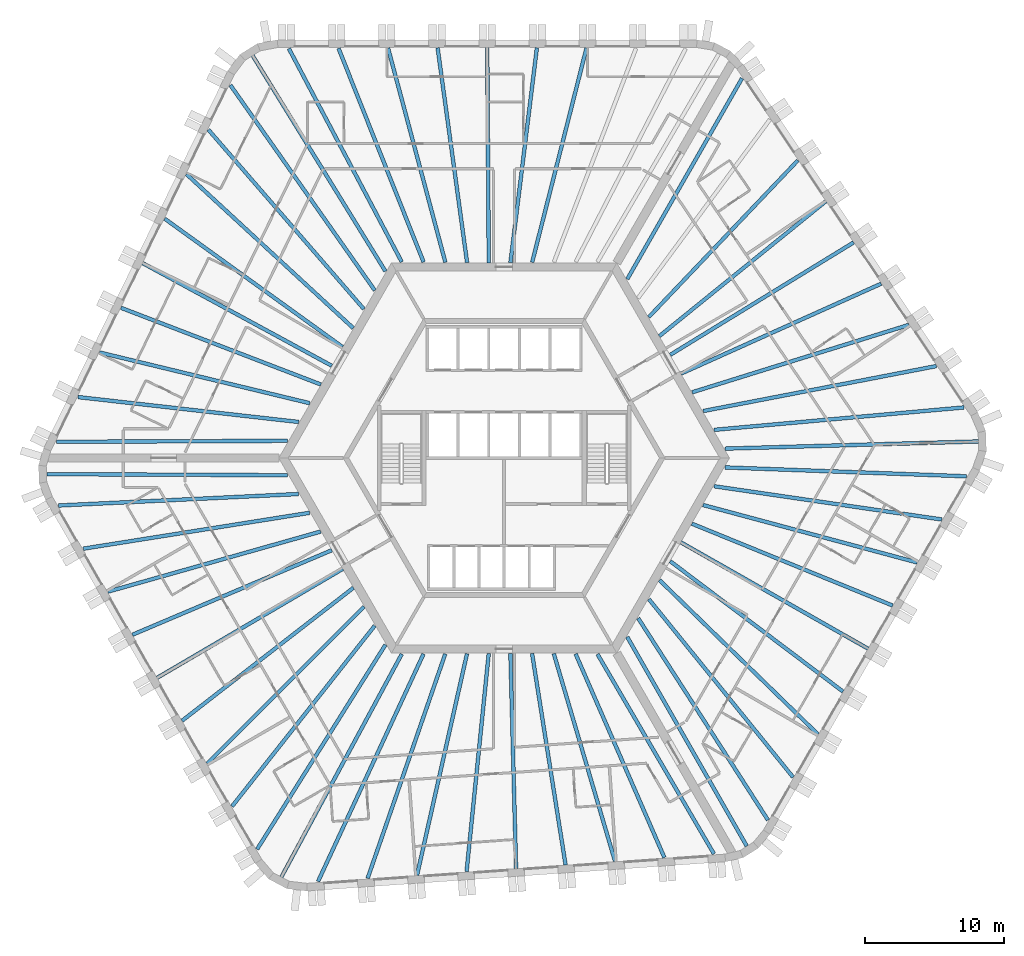
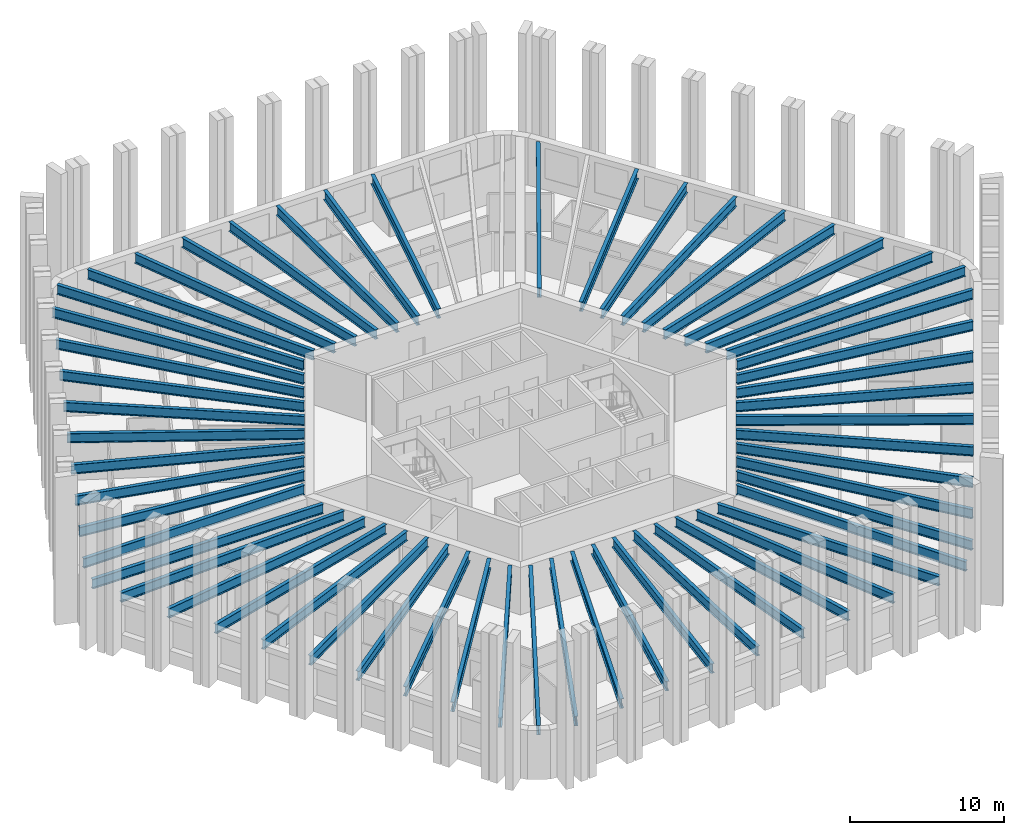
# One storey, part 1 of 12: 56 beams.
"""IFC4 building model written with IfcOpenShell, lengths in metres."""

from ifc_helpers import new_model, si_unit, direction, frame, origin, origin_2d, place, context, subcontext, project, spatial, i_section, extrude, material, material_profile, profile_set, type_object, element, save


model = new_model("IFC4")

# Units and contexts
model_context = context("Model", 3, precision=1e-05, world=origin(), true_north=direction((0.0, 1.0)))
body_context = subcontext(model_context, "Body", "Model", "MODEL_VIEW")
ifc_project = project(units=[si_unit("LENGTHUNIT", "METRE"), si_unit("AREAUNIT", "SQUARE_METRE"), si_unit("VOLUMEUNIT", "CUBIC_METRE"), si_unit("PLANEANGLEUNIT", "RADIAN"), si_unit("MASSUNIT", "GRAM", prefix="KILO")], contexts=[model_context])

# Site, building, storey
site_placement = place(None, origin())
site = spatial("IfcSite", under=ifc_project, at=site_placement, CompositionType="ELEMENT")
building_placement = place(site_placement, origin())
building = spatial("IfcBuilding", under=site, at=building_placement, Name="Tarnside Tower", CompositionType="ELEMENT")
storey_placement = place(building_placement, frame((0.0, 0.0, 49.199951171875)))
storey = spatial("IfcBuildingStorey", under=building, at=storey_placement, Name="L09", CompositionType="ELEMENT", Elevation=49.199951171875)

# Beams
ifc_material = material(Name="Steel S355", Category="steel")
ifc_material_profile_1 = material_profile(ifc_material, i_section(OverallWidth=0.26513671875, OverallDepth=0.75390625, WebThickness=0.0126953125, FlangeThickness=0.017578125, FilletRadius=0.0166015625, at=origin_2d()), Name="UB 762x267x147")
ifc_profile_set_1 = profile_set([ifc_material_profile_1], Name="Steel S355")
beam_type_1 = type_object("IfcBeamType", Name="Floor beam UB 762x267x147", PredefinedType="BEAM", material=ifc_profile_set_1)
beam_1_placement = place(storey_placement, frame((2.3525390625, 29.43017578125, 3.373046875), z_axis=(-0.122329629165, -0.992489527314, 0.0), x_axis=(0.992489527314, -0.122329629165, 0.0)))
element("IfcBeam", 1, at=beam_1_placement, inside=storey, type_object=beam_type_1, Name="Floor beam F1.04", PredefinedType="BEAM", context=body_context, shape_type="SweptSolid", body=[
    extrude(i_section(OverallWidth=0.26513671875, OverallDepth=0.75390625, WebThickness=0.0126953125, FlangeThickness=0.017578125, FilletRadius=0.0166015625, at=origin_2d()), origin(), (0.0, 0.0, 1.0), 15.527099609375),
])
beam_2_placement = place(storey_placement, frame((-1.208984375, 29.449951171875, 3.373046875), z_axis=(0.007000128723, -0.999975498799, 0.0), x_axis=(0.999975498799, 0.007000128723, 0.0)))
element("IfcBeam", 2, at=beam_2_placement, inside=storey, type_object=beam_type_1, Name="Floor beam F1.05", PredefinedType="BEAM", context=body_context, shape_type="SweptSolid", body=[
    extrude(i_section(OverallWidth=0.26513671875, OverallDepth=0.75390625, WebThickness=0.0126953125, FlangeThickness=0.017578125, FilletRadius=0.0166015625, at=origin_2d()), origin(), (0.0, 0.0, 1.0), 15.450439453125),
])
beam_3_placement = place(storey_placement, frame((-4.7705078125, 29.43017578125, 3.373046875), z_axis=(0.136000560933, -0.990708760144, 0.0), x_axis=(0.990708760144, 0.136000560933, 0.0)))
element("IfcBeam", 3, at=beam_3_placement, inside=storey, type_object=beam_type_1, Name="Floor beam F1.06", PredefinedType="BEAM", context=body_context, shape_type="SweptSolid", body=[
    extrude(i_section(OverallWidth=0.26513671875, OverallDepth=0.75390625, WebThickness=0.0126953125, FlangeThickness=0.017578125, FilletRadius=0.0166015625, at=origin_2d()), origin(), (0.0, 0.0, 1.0), 15.554931640625),
])
beam_4_placement = place(storey_placement, frame((-24.348876953125, 17.168212890625, 3.373046875), z_axis=(0.811027744825, -0.585007689799, 0.0), x_axis=(0.585007689799, 0.811027744825, 0.0)))
element("IfcBeam", 4, at=beam_4_placement, inside=storey, type_object=beam_type_1, Name="Floor beam F2.04", PredefinedType="BEAM", context=body_context, shape_type="SweptSolid", body=[
    extrude(i_section(OverallWidth=0.26513671875, OverallDepth=0.75390625, WebThickness=0.0126953125, FlangeThickness=0.017578125, FilletRadius=0.0166015625, at=origin_2d()), origin(), (0.0, 0.0, 1.0), 15.731689453125),
])
beam_5_placement = place(storey_placement, frame((-25.92626953125, 13.978271484375, 3.373046875), z_axis=(0.878894567679, -0.477016078245, 0.0), x_axis=(0.477016078245, 0.878894567679, 0.0)))
element("IfcBeam", 5, at=beam_5_placement, inside=storey, type_object=beam_type_1, Name="Floor beam F2.05", PredefinedType="BEAM", context=body_context, shape_type="SweptSolid", body=[
    extrude(i_section(OverallWidth=0.26513671875, OverallDepth=0.75390625, WebThickness=0.0126953125, FlangeThickness=0.017578125, FilletRadius=0.0166015625, at=origin_2d()), origin(), (0.0, 0.0, 1.0), 15.427490234375),
])
beam_6_placement = place(storey_placement, frame((-27.487548828125, 10.77734375, 3.373046875), z_axis=(0.933617702452, -0.358270827264, 0.0), x_axis=(0.358270827264, 0.933617702452, 0.0)))
element("IfcBeam", 6, at=beam_6_placement, inside=storey, type_object=beam_type_1, Name="Floor beam F2.06", PredefinedType="BEAM", context=body_context, shape_type="SweptSolid", body=[
    extrude(i_section(OverallWidth=0.26513671875, OverallDepth=0.75390625, WebThickness=0.0126953125, FlangeThickness=0.017578125, FilletRadius=0.0166015625, at=origin_2d()), origin(), (0.0, 0.0, 1.0), 15.363037109375),
])
beam_7_placement = place(storey_placement, frame((-29.029296875, 7.572509765625, 3.373046875), z_axis=(0.972101750991, -0.234559556873, 0.0), x_axis=(0.234559556873, 0.972101750991, 0.0)))
element("IfcBeam", 7, at=beam_7_placement, inside=storey, type_object=beam_type_1, Name="Floor beam F2.07", PredefinedType="BEAM", context=body_context, shape_type="SweptSolid", body=[
    extrude(i_section(OverallWidth=0.26513671875, OverallDepth=0.75390625, WebThickness=0.0126953125, FlangeThickness=0.017578125, FilletRadius=0.0166015625, at=origin_2d()), origin(), (0.0, 0.0, 1.0), 15.522216796875),
])
beam_8_placement = place(storey_placement, frame((-26.66357421875, -12.677734375, 3.373046875), z_axis=(0.920684021494, 0.390308765679, 0.0), x_axis=(-0.390308765679, 0.920684021494, 0.0)))
element("IfcBeam", 8, at=beam_8_placement, inside=storey, type_object=beam_type_1, Name="Floor beam F3.04", PredefinedType="BEAM", context=body_context, shape_type="SweptSolid", body=[
    extrude(i_section(OverallWidth=0.26513671875, OverallDepth=0.75390625, WebThickness=0.0126953125, FlangeThickness=0.017578125, FilletRadius=0.0166015625, at=origin_2d()), origin(), (0.0, 0.0, 1.0), 15.52685546875),
])
beam_9_placement = place(storey_placement, frame((-24.89990234375, -15.772216796875, 3.373046875), z_axis=(0.862497502004, 0.506061319443, 0.0), x_axis=(-0.506061319443, 0.862497502004, 0.0)))
element("IfcBeam", 9, at=beam_9_placement, inside=storey, type_object=beam_type_1, Name="Floor beam F3.05", PredefinedType="BEAM", context=body_context, shape_type="SweptSolid", body=[
    extrude(i_section(OverallWidth=0.26513671875, OverallDepth=0.75390625, WebThickness=0.0126953125, FlangeThickness=0.017578125, FilletRadius=0.0166015625, at=origin_2d()), origin(), (0.0, 0.0, 1.0), 15.450439453125),
])
beam_10_placement = place(storey_placement, frame((-23.10205078125, -18.846435546875, 3.373046875), z_axis=(0.789983963813, 0.613127504617, 0.0), x_axis=(-0.613127504617, 0.789983963813, 0.0)))
element("IfcBeam", 10, at=beam_10_placement, inside=storey, type_object=beam_type_1, Name="Floor beam F3.06", PredefinedType="BEAM", context=body_context, shape_type="SweptSolid", body=[
    extrude(i_section(OverallWidth=0.26513671875, OverallDepth=0.75390625, WebThickness=0.0126953125, FlangeThickness=0.017578125, FilletRadius=0.0166015625, at=origin_2d()), origin(), (0.0, 0.0, 1.0), 15.554931640625),
])
beam_11_placement = place(storey_placement, frame((-2.693603515625, -29.6708984375, 3.373046875), z_axis=(0.101123115756, 0.994873919379, 0.0), x_axis=(-0.994873919379, 0.101123115756, 0.0)))
element("IfcBeam", 11, at=beam_11_placement, inside=storey, type_object=beam_type_1, Name="Floor beam F4.04", PredefinedType="BEAM", context=body_context, shape_type="SweptSolid", body=[
    extrude(i_section(OverallWidth=0.26513671875, OverallDepth=0.75390625, WebThickness=0.0126953125, FlangeThickness=0.017578125, FilletRadius=0.0166015625, at=origin_2d()), origin(), (0.0, 0.0, 1.0), 15.7314453125),
])
beam_12_placement = place(storey_placement, frame((0.857666015625, -29.44189453125, 3.373046875), z_axis=(-0.026333316788, 0.999653218085, 0.0), x_axis=(-0.999653218085, -0.026333316788, 0.0)))
element("IfcBeam", 12, at=beam_12_placement, inside=storey, type_object=beam_type_1, Name="Floor beam F4.05", PredefinedType="BEAM", context=body_context, shape_type="SweptSolid", body=[
    extrude(i_section(OverallWidth=0.26513671875, OverallDepth=0.75390625, WebThickness=0.0126953125, FlangeThickness=0.017578125, FilletRadius=0.0166015625, at=origin_2d()), origin(), (0.0, 0.0, 1.0), 15.42724609375),
])
beam_13_placement = place(storey_placement, frame((4.41015625, -29.193603515625, 3.373046875), z_axis=(-0.156513375907, 0.98767583911, 0.0), x_axis=(-0.98767583911, -0.156513375907, 0.0)))
element("IfcBeam", 13, at=beam_13_placement, inside=storey, type_object=beam_type_1, Name="Floor beam F4.06", PredefinedType="BEAM", context=body_context, shape_type="SweptSolid", body=[
    extrude(i_section(OverallWidth=0.26513671875, OverallDepth=0.75390625, WebThickness=0.0126953125, FlangeThickness=0.017578125, FilletRadius=0.0166015625, at=origin_2d()), origin(), (0.0, 0.0, 1.0), 15.36328125),
])
beam_14_placement = place(storey_placement, frame((7.956787109375, -28.926513671875, 3.373046875), z_axis=(-0.282920694328, 0.959143305623, 0.0), x_axis=(-0.959143305623, -0.282920694328, 0.0)))
element("IfcBeam", 14, at=beam_14_placement, inside=storey, type_object=beam_type_1, Name="Floor beam F4.07", PredefinedType="BEAM", context=body_context, shape_type="SweptSolid", body=[
    extrude(i_section(OverallWidth=0.26513671875, OverallDepth=0.75390625, WebThickness=0.0126953125, FlangeThickness=0.017578125, FilletRadius=0.0166015625, at=origin_2d()), origin(), (0.0, 0.0, 1.0), 15.5224609375),
])
beam_15_placement = place(storey_placement, frame((24.31103515625, -16.75244140625, 3.373046875), z_axis=(-0.798361152727, 0.602178935049, 0.0), x_axis=(-0.602178935049, -0.798361152727, 0.0)))
element("IfcBeam", 15, at=beam_15_placement, inside=storey, type_object=beam_type_1, Name="Floor beam F5.04", PredefinedType="BEAM", context=body_context, shape_type="SweptSolid", body=[
    extrude(i_section(OverallWidth=0.26513671875, OverallDepth=0.75390625, WebThickness=0.0126953125, FlangeThickness=0.017578125, FilletRadius=0.0166015625, at=origin_2d()), origin(), (0.0, 0.0, 1.0), 15.527099609375),
])
beam_16_placement = place(storey_placement, frame((26.10888671875, -13.677978515625, 3.373046875), z_axis=(-0.869502520992, 0.493928502911, 0.0), x_axis=(-0.493928502911, -0.869502520992, 0.0)))
element("IfcBeam", 16, at=beam_16_placement, inside=storey, type_object=beam_type_1, Name="Floor beam F5.05", PredefinedType="BEAM", context=body_context, shape_type="SweptSolid", body=[
    extrude(i_section(OverallWidth=0.26513671875, OverallDepth=0.75390625, WebThickness=0.0126953125, FlangeThickness=0.017578125, FilletRadius=0.0166015625, at=origin_2d()), origin(), (0.0, 0.0, 1.0), 15.4501953125),
])
beam_17_placement = place(storey_placement, frame((27.87255859375, -10.58349609375, 3.373046875), z_axis=(-0.925981621163, 0.377568586177, 0.0), x_axis=(-0.377568586177, -0.925981621163, 0.0)))
element("IfcBeam", 17, at=beam_17_placement, inside=storey, type_object=beam_type_1, Name="Floor beam F5.06", PredefinedType="BEAM", context=body_context, shape_type="SweptSolid", body=[
    extrude(i_section(OverallWidth=0.26513671875, OverallDepth=0.75390625, WebThickness=0.0126953125, FlangeThickness=0.017578125, FilletRadius=0.0166015625, at=origin_2d()), origin(), (0.0, 0.0, 1.0), 15.554931640625),
])
beam_18_placement = place(storey_placement, frame((27.04248046875, 12.502685546875, 3.373046875), z_axis=(-0.912146413919, -0.409864513681, 0.0), x_axis=(0.409864513681, -0.912146413919, 0.0)))
element("IfcBeam", 18, at=beam_18_placement, inside=storey, type_object=beam_type_1, Name="Floor beam F6.04", PredefinedType="BEAM", context=body_context, shape_type="SweptSolid", body=[
    extrude(i_section(OverallWidth=0.26513671875, OverallDepth=0.75390625, WebThickness=0.0126953125, FlangeThickness=0.017578125, FilletRadius=0.0166015625, at=origin_2d()), origin(), (0.0, 0.0, 1.0), 15.7314453125),
])
beam_19_placement = place(storey_placement, frame((25.068603515625, 15.463623046875, 3.373046875), z_axis=(-0.852558490017, -0.522631821744, 0.0), x_axis=(0.522631821744, -0.852558490017, 0.0)))
element("IfcBeam", 19, at=beam_19_placement, inside=storey, type_object=beam_type_1, Name="Floor beam F6.05", PredefinedType="BEAM", context=body_context, shape_type="SweptSolid", body=[
    extrude(i_section(OverallWidth=0.26513671875, OverallDepth=0.75390625, WebThickness=0.0126953125, FlangeThickness=0.017578125, FilletRadius=0.0166015625, at=origin_2d()), origin(), (0.0, 0.0, 1.0), 15.42724609375),
])
beam_20_placement = place(storey_placement, frame((23.0771484375, 18.416259765625, 3.373046875), z_axis=(-0.777079423039, -0.629402550272, 0.0), x_axis=(0.629402550272, -0.777079423039, 0.0)))
element("IfcBeam", 20, at=beam_20_placement, inside=storey, type_object=beam_type_1, Name="Floor beam F6.06", PredefinedType="BEAM", context=body_context, shape_type="SweptSolid", body=[
    extrude(i_section(OverallWidth=0.26513671875, OverallDepth=0.75390625, WebThickness=0.0126953125, FlangeThickness=0.017578125, FilletRadius=0.0166015625, at=origin_2d()), origin(), (0.0, 0.0, 1.0), 15.36328125),
])
beam_21_placement = place(storey_placement, frame((21.072509765625, 21.35400390625, 3.373046875), z_axis=(-0.689174694318, -0.724595225427, 0.0), x_axis=(0.724595225427, -0.689174694318, 0.0)))
element("IfcBeam", 21, at=beam_21_placement, inside=storey, type_object=beam_type_1, Name="Floor beam F6.07", PredefinedType="BEAM", context=body_context, shape_type="SweptSolid", body=[
    extrude(i_section(OverallWidth=0.26513671875, OverallDepth=0.75390625, WebThickness=0.0126953125, FlangeThickness=0.017578125, FilletRadius=0.0166015625, at=origin_2d()), origin(), (0.0, 0.0, 1.0), 15.522216796875),
])
ifc_material_profile_2 = material_profile(ifc_material, i_section(OverallWidth=0.2666015625, OverallDepth=0.76220703125, WebThickness=0.014404296875, FlangeThickness=0.021484375, FilletRadius=0.0166015625, at=origin_2d()), Name="UB 762x267x173")
ifc_profile_set_2 = profile_set([ifc_material_profile_2], Name="Steel S355")
beam_type_2 = type_object("IfcBeamType", Name="Floor beam UB 762x267x173", PredefinedType="BEAM", material=ifc_profile_set_2)
beam_22_placement = place(storey_placement, frame((5.909423828125, 29.4111328125, 3.368896484375), z_axis=(-0.245747281389, -0.969333933013, 0.0), x_axis=(0.969333933013, -0.245747281389, 0.0)))
element("IfcBeam", 22, at=beam_22_placement, inside=storey, type_object=beam_type_2, Name="Floor beam F1.03", PredefinedType="BEAM", context=body_context, shape_type="SweptSolid", body=[
    extrude(i_section(OverallWidth=0.2666015625, OverallDepth=0.76220703125, WebThickness=0.014404296875, FlangeThickness=0.021484375, FilletRadius=0.0166015625, at=origin_2d()), origin(), (0.0, 0.0, 1.0), 15.858642578125),
])
beam_23_placement = place(storey_placement, frame((-8.3271484375, 29.411376953125, 3.368896484375), z_axis=(0.258447478572, -0.966025310652, 0.0), x_axis=(0.966025310652, 0.258447478572, 0.0)))
element("IfcBeam", 23, at=beam_23_placement, inside=storey, type_object=beam_type_2, Name="Floor beam F1.07", PredefinedType="BEAM", context=body_context, shape_type="SweptSolid", body=[
    extrude(i_section(OverallWidth=0.2666015625, OverallDepth=0.76220703125, WebThickness=0.014404296875, FlangeThickness=0.021484375, FilletRadius=0.0166015625, at=origin_2d()), origin(), (0.0, 0.0, 1.0), 15.91357421875),
])
beam_24_placement = place(storey_placement, frame((-11.87939453125, 29.394287109375, 3.368896484375), z_axis=(0.369638204477, -0.929175762593, 0.0), x_axis=(0.929175762593, 0.369638204477, 0.0)))
element("IfcBeam", 24, at=beam_24_placement, inside=storey, type_object=beam_type_2, Name="Floor beam F1.08", PredefinedType="BEAM", context=body_context, shape_type="SweptSolid", body=[
    extrude(i_section(OverallWidth=0.2666015625, OverallDepth=0.76220703125, WebThickness=0.014404296875, FlangeThickness=0.021484375, FilletRadius=0.0166015625, at=origin_2d()), origin(), (0.0, 0.0, 1.0), 16.507568359375),
])
beam_25_placement = place(storey_placement, frame((-15.44580078125, 29.37939453125, 3.368896484375), z_axis=(0.467741993634, -0.883865050441, 0.0), x_axis=(0.883865050441, 0.467741993634, 0.0)))
element("IfcBeam", 25, at=beam_25_placement, inside=storey, type_object=beam_type_2, Name="Floor beam F1.09", PredefinedType="BEAM", context=body_context, shape_type="SweptSolid", body=[
    extrude(i_section(OverallWidth=0.2666015625, OverallDepth=0.76220703125, WebThickness=0.014404296875, FlangeThickness=0.021484375, FilletRadius=0.0166015625, at=origin_2d()), origin(), (0.0, 0.0, 1.0), 17.320068359375),
])
beam_26_placement = place(storey_placement, frame((-18.042236328125, 28.8701171875, 3.368896484375), z_axis=(0.524382977035, -0.851482526771, 0.0), x_axis=(0.851482526771, 0.524382977035, 0.0)))
element("IfcBeam", 26, at=beam_26_placement, inside=storey, type_object=beam_type_2, Name="Floor beam C1", PredefinedType="BEAM", context=body_context, shape_type="SweptSolid", body=[
    extrude(i_section(OverallWidth=0.2666015625, OverallDepth=0.76220703125, WebThickness=0.014404296875, FlangeThickness=0.021484375, FilletRadius=0.0166015625, at=origin_2d()), origin(), (0.0, 0.0, 1.0), 18.1728515625),
])
beam_27_placement = place(storey_placement, frame((-19.638671875, 26.75537109375, 3.368896484375), z_axis=(0.575411427849, -0.817864101609, 0.0), x_axis=(0.817864101609, 0.575411427849, 0.0)))
element("IfcBeam", 27, at=beam_27_placement, inside=storey, type_object=beam_type_2, Name="Floor beam F2.01", PredefinedType="BEAM", context=body_context, shape_type="SweptSolid", body=[
    extrude(i_section(OverallWidth=0.2666015625, OverallDepth=0.76220703125, WebThickness=0.014404296875, FlangeThickness=0.021484375, FilletRadius=0.0166015625, at=origin_2d()), origin(), (0.0, 0.0, 1.0), 18.00048828125),
])
beam_28_placement = place(storey_placement, frame((-21.21630859375, 23.554931640625, 3.368896484375), z_axis=(0.654980748073, -0.755645564834, 0.0), x_axis=(0.755645564834, 0.654980748073, 0.0)))
element("IfcBeam", 28, at=beam_28_placement, inside=storey, type_object=beam_type_2, Name="Floor beam F2.02", PredefinedType="BEAM", context=body_context, shape_type="SweptSolid", body=[
    extrude(i_section(OverallWidth=0.2666015625, OverallDepth=0.76220703125, WebThickness=0.014404296875, FlangeThickness=0.021484375, FilletRadius=0.0166015625, at=origin_2d()), origin(), (0.0, 0.0, 1.0), 17.0302734375),
])
beam_29_placement = place(storey_placement, frame((-22.7890625, 20.368408203125, 3.368896484375), z_axis=(0.734715474517, -0.678375391288, 0.0), x_axis=(0.678375391288, 0.734715474517, 0.0)))
element("IfcBeam", 29, at=beam_29_placement, inside=storey, type_object=beam_type_2, Name="Floor beam F2.03", PredefinedType="BEAM", context=body_context, shape_type="SweptSolid", body=[
    extrude(i_section(OverallWidth=0.2666015625, OverallDepth=0.76220703125, WebThickness=0.014404296875, FlangeThickness=0.021484375, FilletRadius=0.0166015625, at=origin_2d()), origin(), (0.0, 0.0, 1.0), 16.2802734375),
])
beam_30_placement = place(storey_placement, frame((-30.570556640625, 4.372802734375, 3.368896484375), z_axis=(0.993687302776, -0.112185312326, 0.0), x_axis=(0.112185312326, 0.993687302776, 0.0)))
element("IfcBeam", 30, at=beam_30_placement, inside=storey, type_object=beam_type_2, Name="Floor beam F2.08", PredefinedType="BEAM", context=body_context, shape_type="SweptSolid", body=[
    extrude(i_section(OverallWidth=0.2666015625, OverallDepth=0.76220703125, WebThickness=0.014404296875, FlangeThickness=0.021484375, FilletRadius=0.0166015625, at=origin_2d()), origin(), (0.0, 0.0, 1.0), 15.934326171875),
])
beam_31_placement = place(storey_placement, frame((-32.119384765625, 1.162109375, 3.368896484375), z_axis=(0.999990508787, 0.004356872304, 0.0), x_axis=(-0.004356872304, 0.999990508787, 0.0)))
element("IfcBeam", 31, at=beam_31_placement, inside=storey, type_object=beam_type_2, Name="Floor beam F2.09", PredefinedType="BEAM", context=body_context, shape_type="SweptSolid", body=[
    extrude(i_section(OverallWidth=0.2666015625, OverallDepth=0.76220703125, WebThickness=0.014404296875, FlangeThickness=0.021484375, FilletRadius=0.0166015625, at=origin_2d()), origin(), (0.0, 0.0, 1.0), 16.586669921875),
])
beam_32_placement = place(storey_placement, frame((-32.80712890625, -1.1572265625, 3.368896484375), z_axis=(0.999990027056, -0.004466070929, 0.0), x_axis=(0.004466070929, 0.999990027056, 0.0)))
element("IfcBeam", 32, at=beam_32_placement, inside=storey, type_object=beam_type_2, Name="Floor beam C2", PredefinedType="BEAM", context=body_context, shape_type="SweptSolid", body=[
    extrude(i_section(OverallWidth=0.2666015625, OverallDepth=0.76220703125, WebThickness=0.014404296875, FlangeThickness=0.021484375, FilletRadius=0.0166015625, at=origin_2d()), origin(), (0.0, 0.0, 1.0), 17.2744140625),
])
beam_33_placement = place(storey_placement, frame((-31.95703125, -3.406494140625, 3.368896484375), z_axis=(0.998853818522, 0.047864905982, 0.0), x_axis=(-0.047864905982, 0.998853818522, 0.0)))
element("IfcBeam", 33, at=beam_33_placement, inside=storey, type_object=beam_type_2, Name="Floor beam F3.01", PredefinedType="BEAM", context=body_context, shape_type="SweptSolid", body=[
    extrude(i_section(OverallWidth=0.2666015625, OverallDepth=0.76220703125, WebThickness=0.014404296875, FlangeThickness=0.021484375, FilletRadius=0.0166015625, at=origin_2d()), origin(), (0.0, 0.0, 1.0), 17.2197265625),
])
beam_34_placement = place(storey_placement, frame((-30.18701171875, -6.502685546875, 3.368896484375), z_axis=(0.987678477078, 0.156496728136, 0.0), x_axis=(-0.156496728136, 0.987678477078, 0.0)))
element("IfcBeam", 34, at=beam_34_placement, inside=storey, type_object=beam_type_2, Name="Floor beam F3.02", PredefinedType="BEAM", context=body_context, shape_type="SweptSolid", body=[
    extrude(i_section(OverallWidth=0.2666015625, OverallDepth=0.76220703125, WebThickness=0.014404296875, FlangeThickness=0.021484375, FilletRadius=0.0166015625, at=origin_2d()), origin(), (0.0, 0.0, 1.0), 16.4287109375),
])
beam_35_placement = place(storey_placement, frame((-28.425537109375, -9.587890625, 3.368896484375), z_axis=(0.962342240503, 0.271840784547, 0.0), x_axis=(-0.271840784547, 0.962342240503, 0.0)))
element("IfcBeam", 35, at=beam_35_placement, inside=storey, type_object=beam_type_2, Name="Floor beam F3.03", PredefinedType="BEAM", context=body_context, shape_type="SweptSolid", body=[
    extrude(i_section(OverallWidth=0.2666015625, OverallDepth=0.76220703125, WebThickness=0.014404296875, FlangeThickness=0.021484375, FilletRadius=0.0166015625, at=origin_2d()), origin(), (0.0, 0.0, 1.0), 15.858642578125),
])
beam_36_placement = place(storey_placement, frame((-21.307373046875, -21.917236328125, 3.368896484375), z_axis=(0.707367544857, 0.706845921318, 0.0), x_axis=(-0.706845921318, 0.707367544857, 0.0)))
element("IfcBeam", 36, at=beam_36_placement, inside=storey, type_object=beam_type_2, Name="Floor beam F3.07", PredefinedType="BEAM", context=body_context, shape_type="SweptSolid", body=[
    extrude(i_section(OverallWidth=0.2666015625, OverallDepth=0.76220703125, WebThickness=0.014404296875, FlangeThickness=0.021484375, FilletRadius=0.0166015625, at=origin_2d()), origin(), (0.0, 0.0, 1.0), 15.913330078125),
])
beam_37_placement = place(storey_placement, frame((-19.516357421875, -24.985107421875, 3.368896484375), z_axis=(0.619872995007, 0.784702153725, 0.0), x_axis=(-0.784702153725, 0.619872995007, 0.0)))
element("IfcBeam", 37, at=beam_37_placement, inside=storey, type_object=beam_type_2, Name="Floor beam F3.08", PredefinedType="BEAM", context=body_context, shape_type="SweptSolid", body=[
    extrude(i_section(OverallWidth=0.2666015625, OverallDepth=0.76220703125, WebThickness=0.014404296875, FlangeThickness=0.021484375, FilletRadius=0.0166015625, at=origin_2d()), origin(), (0.0, 0.0, 1.0), 16.507568359375),
])
beam_38_placement = place(storey_placement, frame((-17.72021484375, -28.066162109375, 3.368896484375), z_axis=(0.531583085704, 0.847006152866, 0.0), x_axis=(-0.847006152866, 0.531583085704, 0.0)))
element("IfcBeam", 38, at=beam_38_placement, inside=storey, type_object=beam_type_2, Name="Floor beam F3.09", PredefinedType="BEAM", context=body_context, shape_type="SweptSolid", body=[
    extrude(i_section(OverallWidth=0.2666015625, OverallDepth=0.76220703125, WebThickness=0.014404296875, FlangeThickness=0.021484375, FilletRadius=0.0166015625, at=origin_2d()), origin(), (0.0, 0.0, 1.0), 17.320068359375),
])
beam_39_placement = place(storey_placement, frame((-15.981201171875, -30.060302734375, 3.368896484375), z_axis=(0.475208200571, 0.879873380726, 0.0), x_axis=(-0.879873380726, 0.475208200571, 0.0)))
element("IfcBeam", 39, at=beam_39_placement, inside=storey, type_object=beam_type_2, Name="Floor beam C3", PredefinedType="BEAM", context=body_context, shape_type="SweptSolid", body=[
    extrude(i_section(OverallWidth=0.2666015625, OverallDepth=0.76220703125, WebThickness=0.014404296875, FlangeThickness=0.021484375, FilletRadius=0.0166015625, at=origin_2d()), origin(), (0.0, 0.0, 1.0), 18.173095703125),
])
beam_40_placement = place(storey_placement, frame((-13.3515625, -30.38525390625, 3.368896484375), z_axis=(0.42059199668, 0.907249895193, 0.0), x_axis=(-0.907249895193, 0.42059199668, 0.0)))
element("IfcBeam", 40, at=beam_40_placement, inside=storey, type_object=beam_type_2, Name="Floor beam F4.01", PredefinedType="BEAM", context=body_context, shape_type="SweptSolid", body=[
    extrude(i_section(OverallWidth=0.2666015625, OverallDepth=0.76220703125, WebThickness=0.014404296875, FlangeThickness=0.021484375, FilletRadius=0.0166015625, at=origin_2d()), origin(), (0.0, 0.0, 1.0), 18.000244140625),
])
beam_41_placement = place(storey_placement, frame((-9.791015625, -30.151123046875, 3.368896484375), z_axis=(0.326912128872, 0.945054739153, 0.0), x_axis=(-0.945054739153, 0.326912128872, 0.0)))
element("IfcBeam", 41, at=beam_41_placement, inside=storey, type_object=beam_type_2, Name="Floor beam F4.02", PredefinedType="BEAM", context=body_context, shape_type="SweptSolid", body=[
    extrude(i_section(OverallWidth=0.2666015625, OverallDepth=0.76220703125, WebThickness=0.014404296875, FlangeThickness=0.021484375, FilletRadius=0.0166015625, at=origin_2d()), origin(), (0.0, 0.0, 1.0), 17.0302734375),
])
beam_42_placement = place(storey_placement, frame((-6.2451171875, -29.920166015625, 3.368896484375), z_axis=(0.220139818673, 0.975468328668, 0.0), x_axis=(-0.975468328668, 0.220139818673, 0.0)))
element("IfcBeam", 42, at=beam_42_placement, inside=storey, type_object=beam_type_2, Name="Floor beam F4.03", PredefinedType="BEAM", context=body_context, shape_type="SweptSolid", body=[
    extrude(i_section(OverallWidth=0.2666015625, OverallDepth=0.76220703125, WebThickness=0.014404296875, FlangeThickness=0.021484375, FilletRadius=0.0166015625, at=origin_2d()), origin(), (0.0, 0.0, 1.0), 16.280517578125),
])
beam_43_placement = place(storey_placement, frame((11.498291015625, -28.6611328125, 3.368896484375), z_axis=(-0.399695682658, 0.916647893831, 0.0), x_axis=(-0.916647893831, -0.399695682658, 0.0)))
element("IfcBeam", 43, at=beam_43_placement, inside=storey, type_object=beam_type_2, Name="Floor beam F4.08", PredefinedType="BEAM", context=body_context, shape_type="SweptSolid", body=[
    extrude(i_section(OverallWidth=0.2666015625, OverallDepth=0.76220703125, WebThickness=0.014404296875, FlangeThickness=0.021484375, FilletRadius=0.0166015625, at=origin_2d()), origin(), (0.0, 0.0, 1.0), 15.934326171875),
])
beam_44_placement = place(storey_placement, frame((15.05322265625, -28.3974609375, 3.368896484375), z_axis=(-0.503758455062, 0.86384455717, 0.0), x_axis=(-0.86384455717, -0.503758455062, 0.0)))
element("IfcBeam", 44, at=beam_44_placement, inside=storey, type_object=beam_type_2, Name="Floor beam F4.09", PredefinedType="BEAM", context=body_context, shape_type="SweptSolid", body=[
    extrude(i_section(OverallWidth=0.2666015625, OverallDepth=0.76220703125, WebThickness=0.014404296875, FlangeThickness=0.021484375, FilletRadius=0.0166015625, at=origin_2d()), origin(), (0.0, 0.0, 1.0), 16.586669921875),
])
beam_45_placement = place(storey_placement, frame((17.40576171875, -27.833251953125, 3.368896484375), z_axis=(-0.496126762138, 0.868250099851, 0.0), x_axis=(-0.868250099851, -0.496126762138, 0.0)))
element("IfcBeam", 45, at=beam_45_placement, inside=storey, type_object=beam_type_2, Name="Floor beam C4", PredefinedType="BEAM", context=body_context, shape_type="SweptSolid", body=[
    extrude(i_section(OverallWidth=0.2666015625, OverallDepth=0.76220703125, WebThickness=0.014404296875, FlangeThickness=0.021484375, FilletRadius=0.0166015625, at=origin_2d()), origin(), (0.0, 0.0, 1.0), 17.2744140625),
])
beam_46_placement = place(storey_placement, frame((18.9287109375, -25.972412109375, 3.368896484375), z_axis=(-0.540872954463, 0.841104302171, 0.0), x_axis=(-0.841104302171, -0.540872954463, 0.0)))
element("IfcBeam", 46, at=beam_46_placement, inside=storey, type_object=beam_type_2, Name="Floor beam F5.01", PredefinedType="BEAM", context=body_context, shape_type="SweptSolid", body=[
    extrude(i_section(OverallWidth=0.2666015625, OverallDepth=0.76220703125, WebThickness=0.014404296875, FlangeThickness=0.021484375, FilletRadius=0.0166015625, at=origin_2d()), origin(), (0.0, 0.0, 1.0), 17.2197265625),
])
beam_47_placement = place(storey_placement, frame((20.72509765625, -22.89111328125, 3.368896484375), z_axis=(-0.62939015525, 0.777089462336, 0.0), x_axis=(-0.777089462336, -0.62939015525, 0.0)))
element("IfcBeam", 47, at=beam_47_placement, inside=storey, type_object=beam_type_2, Name="Floor beam F5.02", PredefinedType="BEAM", context=body_context, shape_type="SweptSolid", body=[
    extrude(i_section(OverallWidth=0.2666015625, OverallDepth=0.76220703125, WebThickness=0.014404296875, FlangeThickness=0.021484375, FilletRadius=0.0166015625, at=origin_2d()), origin(), (0.0, 0.0, 1.0), 16.4287109375),
])
beam_48_placement = place(storey_placement, frame((22.51611328125, -19.8232421875, 3.368896484375), z_axis=(-0.716594696052, 0.697489814686, 0.0), x_axis=(-0.697489814686, -0.716594696052, 0.0)))
element("IfcBeam", 48, at=beam_48_placement, inside=storey, type_object=beam_type_2, Name="Floor beam F5.03", PredefinedType="BEAM", context=body_context, shape_type="SweptSolid", body=[
    extrude(i_section(OverallWidth=0.2666015625, OverallDepth=0.76220703125, WebThickness=0.014404296875, FlangeThickness=0.021484375, FilletRadius=0.0166015625, at=origin_2d()), origin(), (0.0, 0.0, 1.0), 15.858642578125),
])
beam_49_placement = place(storey_placement, frame((29.634521484375, -7.494140625, 3.368896484375), z_axis=(-0.965827851395, 0.259184415946, 0.0), x_axis=(-0.259184415946, -0.965827851395, 0.0)))
element("IfcBeam", 49, at=beam_49_placement, inside=storey, type_object=beam_type_2, Name="Floor beam F5.07", PredefinedType="BEAM", context=body_context, shape_type="SweptSolid", body=[
    extrude(i_section(OverallWidth=0.2666015625, OverallDepth=0.76220703125, WebThickness=0.014404296875, FlangeThickness=0.021484375, FilletRadius=0.0166015625, at=origin_2d()), origin(), (0.0, 0.0, 1.0), 15.913330078125),
])
beam_50_placement = place(storey_placement, frame((31.39599609375, -4.4091796875, 3.368896484375), z_axis=(-0.989507887412, 0.144478859177, 0.0), x_axis=(-0.144478859177, -0.989507887412, 0.0)))
element("IfcBeam", 50, at=beam_50_placement, inside=storey, type_object=beam_type_2, Name="Floor beam F5.08", PredefinedType="BEAM", context=body_context, shape_type="SweptSolid", body=[
    extrude(i_section(OverallWidth=0.2666015625, OverallDepth=0.76220703125, WebThickness=0.014404296875, FlangeThickness=0.021484375, FilletRadius=0.0166015625, at=origin_2d()), origin(), (0.0, 0.0, 1.0), 16.507568359375),
])
beam_51_placement = place(storey_placement, frame((33.166259765625, -1.31298828125, 3.368896484375), z_axis=(-0.999320941149, 0.036846391708, 0.0), x_axis=(-0.036846391708, -0.999320941149, 0.0)))
element("IfcBeam", 51, at=beam_51_placement, inside=storey, type_object=beam_type_2, Name="Floor beam F5.09", PredefinedType="BEAM", context=body_context, shape_type="SweptSolid", body=[
    extrude(i_section(OverallWidth=0.2666015625, OverallDepth=0.76220703125, WebThickness=0.014404296875, FlangeThickness=0.021484375, FilletRadius=0.0166015625, at=origin_2d()), origin(), (0.0, 0.0, 1.0), 17.320068359375),
])
beam_52_placement = place(storey_placement, frame((34.0234375, 1.18994140625, 3.368896484375), z_axis=(-0.999597013499, -0.028386803343, 0.0), x_axis=(0.028386803343, -0.999597013499, 0.0)))
element("IfcBeam", 52, at=beam_52_placement, inside=storey, type_object=beam_type_2, Name="Floor beam C5", PredefinedType="BEAM", context=body_context, shape_type="SweptSolid", body=[
    extrude(i_section(OverallWidth=0.2666015625, OverallDepth=0.76220703125, WebThickness=0.014404296875, FlangeThickness=0.021484375, FilletRadius=0.0166015625, at=origin_2d()), origin(), (0.0, 0.0, 1.0), 18.1728515625),
])
beam_53_placement = place(storey_placement, frame((32.990234375, 3.6298828125, 3.368896484375), z_axis=(-0.995997485142, -0.089381259731, 0.0), x_axis=(0.089381259731, -0.995997485142, 0.0)))
element("IfcBeam", 53, at=beam_53_placement, inside=storey, type_object=beam_type_2, Name="Floor beam F6.01", PredefinedType="BEAM", context=body_context, shape_type="SweptSolid", body=[
    extrude(i_section(OverallWidth=0.2666015625, OverallDepth=0.76220703125, WebThickness=0.014404296875, FlangeThickness=0.021484375, FilletRadius=0.0166015625, at=origin_2d()), origin(), (0.0, 0.0, 1.0), 18.000244140625),
])
beam_54_placement = place(storey_placement, frame((31.007080078125, 6.596435546875, 3.368896484375), z_axis=(-0.981896564922, -0.189417886679, 0.0), x_axis=(0.189417886679, -0.981896564922, 0.0)))
element("IfcBeam", 54, at=beam_54_placement, inside=storey, type_object=beam_type_2, Name="Floor beam F6.02", PredefinedType="BEAM", context=body_context, shape_type="SweptSolid", body=[
    extrude(i_section(OverallWidth=0.2666015625, OverallDepth=0.76220703125, WebThickness=0.014404296875, FlangeThickness=0.021484375, FilletRadius=0.0166015625, at=origin_2d()), origin(), (0.0, 0.0, 1.0), 17.0302734375),
])
beam_55_placement = place(storey_placement, frame((29.0341796875, 9.5517578125, 3.368896484375), z_axis=(-0.954846945108, -0.297098151152, 0.0), x_axis=(0.297098151152, -0.954846945108, 0.0)))
element("IfcBeam", 55, at=beam_55_placement, inside=storey, type_object=beam_type_2, Name="Floor beam F6.03", PredefinedType="BEAM", context=body_context, shape_type="SweptSolid", body=[
    extrude(i_section(OverallWidth=0.2666015625, OverallDepth=0.76220703125, WebThickness=0.014404296875, FlangeThickness=0.021484375, FilletRadius=0.0166015625, at=origin_2d()), origin(), (0.0, 0.0, 1.0), 16.280517578125),
])
beam_56_placement = place(storey_placement, frame((17.066162109375, 27.235107421875, 3.368896484375), z_axis=(-0.49622611841, -0.868193319145, 0.0), x_axis=(0.868193319145, -0.49622611841, 0.0)))
element("IfcBeam", 56, at=beam_56_placement, inside=storey, type_object=beam_type_2, Name="Floor beam F6.09", PredefinedType="BEAM", context=body_context, shape_type="SweptSolid", body=[
    extrude(i_section(OverallWidth=0.2666015625, OverallDepth=0.76220703125, WebThickness=0.014404296875, FlangeThickness=0.021484375, FilletRadius=0.0166015625, at=origin_2d()), origin(), (0.0, 0.0, 1.0), 16.586669921875),
])

save(model, "model.ifc")
